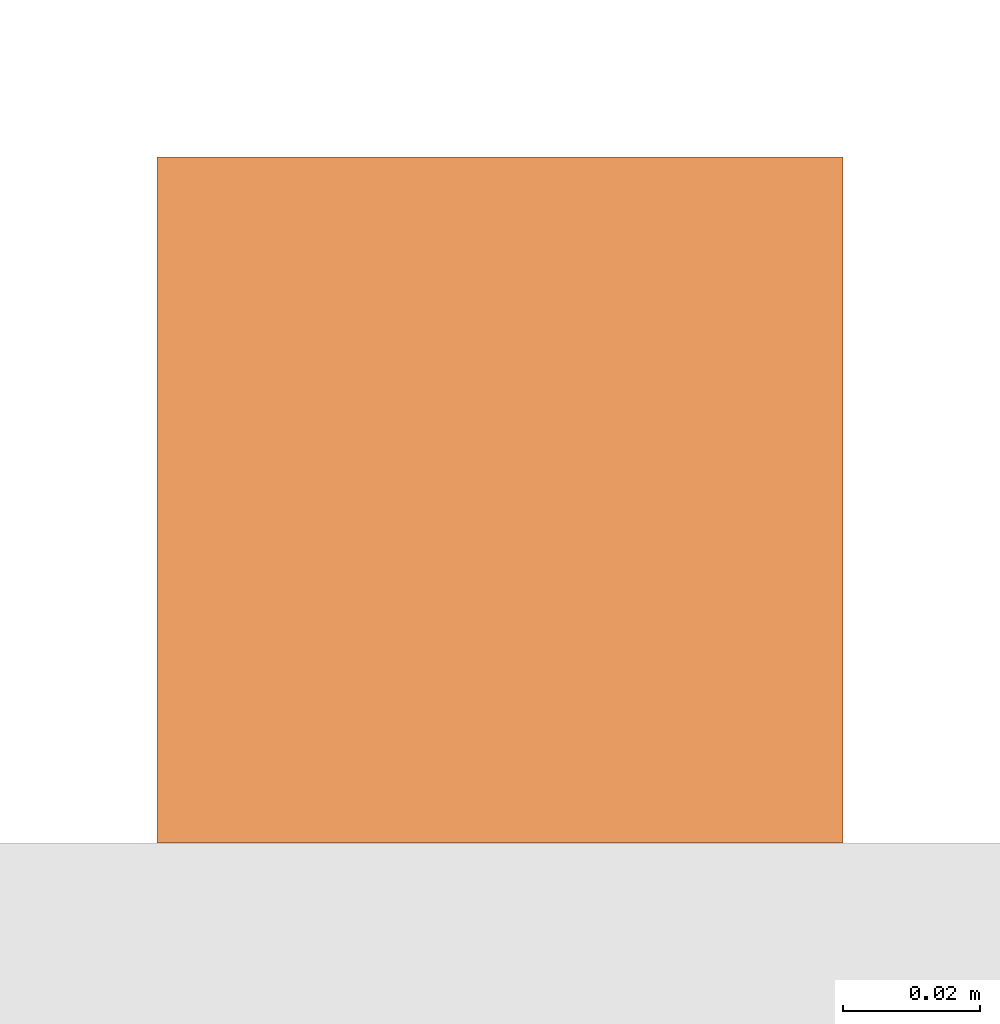
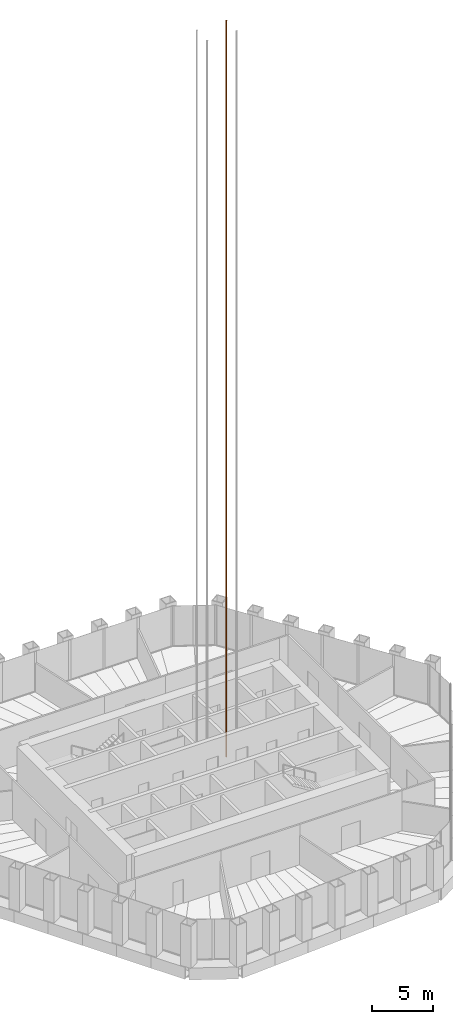
# One storey, part 19 of 19: 1 proxy.
"""IFC4 building model written with IfcOpenShell, lengths in metres."""

from ifc_helpers import new_model, si_unit, direction, frame, origin, origin_2d, place, context, subcontext, project, spatial, rectangle, extrude, material, type_object, element, save


model = new_model("IFC4")

# Units and contexts
model_context = context("Model", 3, precision=1e-05, world=origin(), true_north=direction((0.0, 1.0)))
body_context = subcontext(model_context, "Body", "Model", "MODEL_VIEW")
ifc_project = project(units=[si_unit("LENGTHUNIT", "METRE"), si_unit("AREAUNIT", "SQUARE_METRE"), si_unit("VOLUMEUNIT", "CUBIC_METRE"), si_unit("PLANEANGLEUNIT", "RADIAN"), si_unit("MASSUNIT", "GRAM", prefix="KILO")], contexts=[model_context])

# Site, building, storey
site_placement = place(None, origin())
site = spatial("IfcSite", under=ifc_project, at=site_placement, CompositionType="ELEMENT")
building_placement = place(site_placement, origin())
building = spatial("IfcBuilding", under=site, at=building_placement, Name="Qingtian Harvest Tower", CompositionType="ELEMENT")
storey_placement = place(building_placement, frame((0.0, 0.0, 262.0)))
storey = spatial("IfcBuildingStorey", under=building, at=storey_placement, Name="L57", CompositionType="ELEMENT", Elevation=262.0)

# Proxy
ifc_material = material(Name="Steel SN490B", Category="steel")
building_element_proxy_type = type_object("IfcBuildingElementProxyType", Name="Lift guide rail LR1", PredefinedType="NOTDEFINED", material=ifc_material)
proxy_placement = place(storey_placement, frame((4.699951171875, 4.375, 0.0), z_axis=(0.0, 0.0, 1.0), x_axis=(1.0, 0.0, 0.0)))
element("IfcBuildingElementProxy", 1, at=proxy_placement, inside=storey, type_object=building_element_proxy_type, Name="Lift PLD2 guide rail 2", PredefinedType="NOTDEFINED", context=body_context, shape_type="SweptSolid", body=[
    extrude(rectangle(XDim=0.10009765625, YDim=0.10009765625, at=origin_2d()), origin(), (0.0, 0.0, 1.0), 73.800048828125),
])

save(model, "model.ifc")
